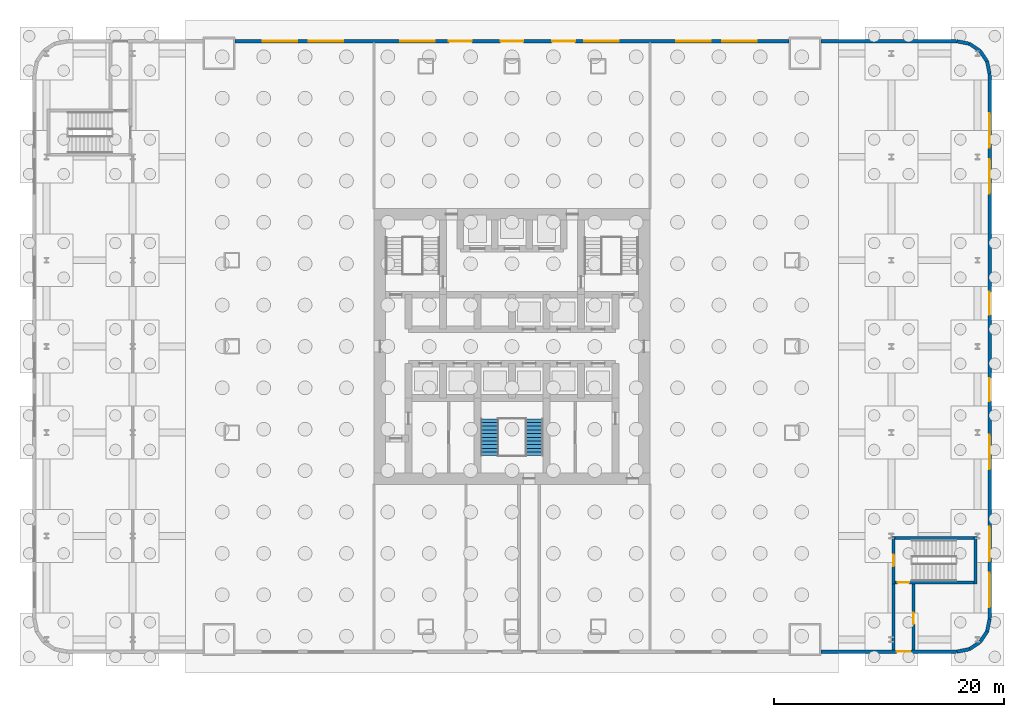
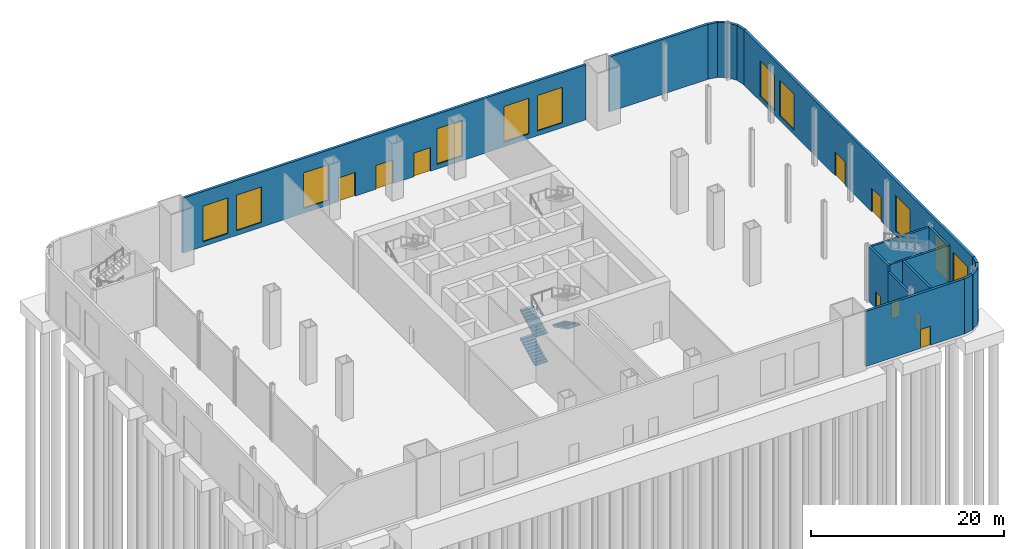
# One storey, part 6 of 10: 18 walls, 11 windows, 9 doors, 3 stair flights, 20 openings, 1 element without a shape of its own.
"""IFC4 building model written with IfcOpenShell, lengths in metres."""

from ifc_helpers import new_model, si_unit, direction, frame, frame_2d, origin, place, context, subcontext, project, spatial, polyline, rectangle, outline, extrude, material, layer, layer_set, type_object, element, fill, aggregate, save


model = new_model("IFC4")

# Units and contexts
model_context = context("Model", 3, precision=1e-05, world=origin(), true_north=direction((0.0, 1.0)))
body_context = subcontext(model_context, "Body", "Model", "MODEL_VIEW")
ifc_project = project(units=[si_unit("LENGTHUNIT", "METRE"), si_unit("AREAUNIT", "SQUARE_METRE"), si_unit("VOLUMEUNIT", "CUBIC_METRE"), si_unit("PLANEANGLEUNIT", "RADIAN"), si_unit("MASSUNIT", "GRAM", prefix="KILO")], contexts=[model_context])

# Site, building, storey
site_placement = place(None, origin())
site = spatial("IfcSite", under=ifc_project, at=site_placement, CompositionType="ELEMENT")
building_placement = place(site_placement, origin())
building = spatial("IfcBuilding", under=site, at=building_placement, Name="Tarangal Relay Tower", CompositionType="ELEMENT")
storey_placement = place(building_placement, origin())
storey = spatial("IfcBuildingStorey", under=building, at=storey_placement, Name="L00", CompositionType="ELEMENT", Elevation=0.0)

# Walls
ifc_material_1 = material(Name="Black granite clad concrete wall", Category="masonry")
ifc_layer_1 = layer(ifc_material_1, 0.300048828125)
ifc_layer_set_1 = layer_set([ifc_layer_1], Name="Podium wall 300")
wall_type_1 = type_object("IfcWallType", Name="Podium wall 300", PredefinedType="SOLIDWALL", material=ifc_layer_set_1)
for number, where, z_axis, x_axis, name in (
    (1, (41.550048828125, 23.699951171875, 0.0), (0.0, 0.0, 1.0), (-0.195187147506, 0.980766015647, 0.0), "Podium corner wall L00"),
    (2, (41.3330078125, 24.79052734375, 0.0), (0.0, 0.0, 1.0), (-0.555409243355, 0.831577159616, 0.0), "Podium corner wall L00"),
    (3, (40.71533203125, 25.71533203125, 0.0), (0.0, 0.0, 1.0), (-0.831577159616, 0.555409243355, 0.0), "Podium corner wall L00"),
    (4, (39.79052734375, 26.3330078125, 0.0), (0.0, 0.0, 1.0), (-0.980766015647, 0.195187147506, 0.0), "Podium corner wall L00"),
):
    element("IfcWall", number, at=place(storey_placement, frame(where, z_axis=z_axis, x_axis=x_axis)), inside=storey, type_object=wall_type_1, Name=name, PredefinedType="SOLIDWALL", context=body_context, shape_type="SweptSolid", body=[
        extrude(rectangle(XDim=1.112060546875, YDim=0.300048828125, at=frame_2d((0.55615234375, 0.0))), origin(), (0.0, 0.0, 1.0), 6.949951171875),
    ])
wall_1_placement = place(storey_placement, frame((38.699951171875, 26.550048828125, 0.0), z_axis=(0.0, 0.0, 1.0), x_axis=(-1.0, 0.0, 0.0)))
element("IfcWall", 5, at=wall_1_placement, inside=storey, type_object=wall_type_1, Name="Podium wall Podium N facade L00", PredefinedType="SOLIDWALL", context=body_context, shape_type="SweptSolid", body=[
    extrude(rectangle(XDim=11.800048828125, YDim=0.300048828125, at=frame_2d((5.89990234375, 0.0))), origin(), (0.0, 0.0, 1.0), 6.949951171875),
])

# Wall, openings, doors, windows
wall_2_placement = place(storey_placement, frame((24.10009765625, 26.550048828125, 0.0), z_axis=(0.0, 0.0, 1.0), x_axis=(-1.0, 0.0, 0.0)))
wall_2 = element("IfcWall", 6, at=wall_2_placement, inside=storey, type_object=wall_type_1, Name="Podium wall Podium N facade L00", PredefinedType="SOLIDWALL", context=body_context, shape_type="SweptSolid", body=[
    extrude(rectangle(XDim=48.2001953125, YDim=0.300048828125, at=frame_2d((24.10009765625, 0.0))), origin(), (0.0, 0.0, 1.0), 6.949951171875),
])
opening_1_placement = place(wall_2_placement, frame((27.60009765625, 0.0, 0.0)))
opening_1 = element("IfcOpeningElement", 7, at=opening_1_placement, cuts=wall_2, Name="Opening ED1", PredefinedType="OPENING", context=body_context, shape_type="SweptSolid", body=[
    extrude(rectangle(XDim=2.0, YDim=3.0, at=frame_2d((1.0, 1.5))), frame((0.0, 0.159912109375, 0.0), z_axis=(0.0, -1.0, 0.0), x_axis=(1.0, 0.0, 0.0)), (0.0, 0.0, 1.0), 0.320068359375),
])
opening_2_placement = place(wall_2_placement, frame((23.10009765625, 0.0, 0.0)))
opening_2 = element("IfcOpeningElement", 8, at=opening_2_placement, cuts=wall_2, Name="Opening ED1", PredefinedType="OPENING", context=body_context, shape_type="SweptSolid", body=[
    extrude(rectangle(XDim=2.0, YDim=3.0, at=frame_2d((1.0, 1.5))), frame((0.0, 0.159912109375, 0.0), z_axis=(0.0, -1.0, 0.0), x_axis=(1.0, 0.0, 0.0)), (0.0, 0.0, 1.0), 0.320068359375),
])
opening_3_placement = place(wall_2_placement, frame((18.60009765625, 0.0, 0.0)))
opening_3 = element("IfcOpeningElement", 9, at=opening_3_placement, cuts=wall_2, Name="Opening ED1", PredefinedType="OPENING", context=body_context, shape_type="SweptSolid", body=[
    extrude(rectangle(XDim=2.0, YDim=3.0, at=frame_2d((1.0, 1.5))), frame((0.0, 0.159912109375, 0.0), z_axis=(0.0, -1.0, 0.0), x_axis=(1.0, 0.0, 0.0)), (0.0, 0.0, 1.0), 0.320068359375),
])
opening_4_placement = place(wall_2_placement, frame((42.800048828125, 0.0, 0.60009765625)))
opening_4 = element("IfcOpeningElement", 10, at=opening_4_placement, cuts=wall_2, Name="Opening WN3", PredefinedType="OPENING", context=body_context, shape_type="SweptSolid", body=[
    extrude(rectangle(XDim=3.0, YDim=4.5, at=frame_2d((1.5, 2.25))), frame((0.0, 0.159912109375, 0.0), z_axis=(0.0, -1.0, 0.0), x_axis=(1.0, 0.0, 0.0)), (0.0, 0.0, 1.0), 0.320068359375),
])
opening_5_placement = place(wall_2_placement, frame((38.800048828125, 0.0, 0.60009765625)))
opening_5 = element("IfcOpeningElement", 11, at=opening_5_placement, cuts=wall_2, Name="Opening WN3", PredefinedType="OPENING", context=body_context, shape_type="SweptSolid", body=[
    extrude(rectangle(XDim=3.0, YDim=4.5, at=frame_2d((1.5, 2.25))), frame((0.0, 0.159912109375, 0.0), z_axis=(0.0, -1.0, 0.0), x_axis=(1.0, 0.0, 0.0)), (0.0, 0.0, 1.0), 0.320068359375),
])
opening_6_placement = place(wall_2_placement, frame((30.800048828125, 0.0, 0.60009765625)))
opening_6 = element("IfcOpeningElement", 12, at=opening_6_placement, cuts=wall_2, Name="Opening WN3", PredefinedType="OPENING", context=body_context, shape_type="SweptSolid", body=[
    extrude(rectangle(XDim=3.0, YDim=4.5, at=frame_2d((1.5, 2.25))), frame((0.0, 0.159912109375, 0.0), z_axis=(0.0, -1.0, 0.0), x_axis=(1.0, 0.0, 0.0)), (0.0, 0.0, 1.0), 0.320068359375),
])
opening_7_placement = place(wall_2_placement, frame((14.800048828125, 0.0, 0.60009765625)))
opening_7 = element("IfcOpeningElement", 13, at=opening_7_placement, cuts=wall_2, Name="Opening WN3", PredefinedType="OPENING", context=body_context, shape_type="SweptSolid", body=[
    extrude(rectangle(XDim=3.0, YDim=4.5, at=frame_2d((1.5, 2.25))), frame((0.0, 0.159912109375, 0.0), z_axis=(0.0, -1.0, 0.0), x_axis=(1.0, 0.0, 0.0)), (0.0, 0.0, 1.0), 0.320068359375),
])
opening_8_placement = place(wall_2_placement, frame((6.800048828125, 0.0, 0.60009765625)))
opening_8 = element("IfcOpeningElement", 14, at=opening_8_placement, cuts=wall_2, Name="Opening WN3", PredefinedType="OPENING", context=body_context, shape_type="SweptSolid", body=[
    extrude(rectangle(XDim=3.0, YDim=4.5, at=frame_2d((1.5, 2.25))), frame((0.0, 0.159912109375, 0.0), z_axis=(0.0, -1.0, 0.0), x_axis=(1.0, 0.0, 0.0)), (0.0, 0.0, 1.0), 0.320068359375),
])
opening_9_placement = place(wall_2_placement, frame((2.800048828125, 0.0, 0.60009765625)))
opening_9 = element("IfcOpeningElement", 15, at=opening_9_placement, cuts=wall_2, Name="Opening WN3", PredefinedType="OPENING", context=body_context, shape_type="SweptSolid", body=[
    extrude(rectangle(XDim=3.0, YDim=4.5, at=frame_2d((1.5, 2.25))), frame((0.0, 0.159912109375, 0.0), z_axis=(0.0, -1.0, 0.0), x_axis=(1.0, 0.0, 0.0)), (0.0, 0.0, 1.0), 0.320068359375),
])
ifc_material_2 = material(Name="Aluminium glazed door", Category="aluminium")
door_type_1 = type_object("IfcDoorType", Name="Entrance door 2000 x 3000", OperationType="DOUBLE_DOOR_SINGLE_SWING", PredefinedType="DOOR", material=ifc_material_2)
door_1_placement = place(opening_1_placement, origin())
door_1 = element("IfcDoor", 16, at=door_1_placement, inside=storey, type_object=door_type_1, Name="Entrance door ED1 podium N face", OperationType="DOUBLE_DOOR_SINGLE_SWING", OverallHeight=3.0, OverallWidth=2.0, PredefinedType="DOOR", context=body_context, shape_type="SweptSolid", body=[
    extrude(rectangle(XDim=2.0, YDim=3.0, at=frame_2d((1.0, 1.5))), frame((0.0, 0.02490234375, 0.0), z_axis=(0.0, -1.0, 0.0), x_axis=(1.0, 0.0, 0.0)), (0.0, 0.0, 1.0), 0.050048828125),
])
fill(opening_1, door_1)
door_2_placement = place(opening_2_placement, origin())
door_2 = element("IfcDoor", 17, at=door_2_placement, inside=storey, type_object=door_type_1, Name="Entrance door ED1 podium N face", OperationType="DOUBLE_DOOR_SINGLE_SWING", OverallHeight=3.0, OverallWidth=2.0, PredefinedType="DOOR", context=body_context, shape_type="SweptSolid", body=[
    extrude(rectangle(XDim=2.0, YDim=3.0, at=frame_2d((1.0, 1.5))), frame((0.0, 0.02490234375, 0.0), z_axis=(0.0, -1.0, 0.0), x_axis=(1.0, 0.0, 0.0)), (0.0, 0.0, 1.0), 0.050048828125),
])
fill(opening_2, door_2)
door_3_placement = place(opening_3_placement, origin())
door_3 = element("IfcDoor", 18, at=door_3_placement, inside=storey, type_object=door_type_1, Name="Entrance door ED1 podium N face", OperationType="DOUBLE_DOOR_SINGLE_SWING", OverallHeight=3.0, OverallWidth=2.0, PredefinedType="DOOR", context=body_context, shape_type="SweptSolid", body=[
    extrude(rectangle(XDim=2.0, YDim=3.0, at=frame_2d((1.0, 1.5))), frame((0.0, 0.02490234375, 0.0), z_axis=(0.0, -1.0, 0.0), x_axis=(1.0, 0.0, 0.0)), (0.0, 0.0, 1.0), 0.050048828125),
])
fill(opening_3, door_3)
ifc_material_3 = material(Name="Dark tinted double glazing in black aluminium frame", Category="aluminium")
window_type = type_object("IfcWindowType", Name="Shopfront window 3000 x 4500", PartitioningType="SINGLE_PANEL", PredefinedType="WINDOW", material=ifc_material_3)
window_1_placement = place(opening_4_placement, origin())
window_1 = element("IfcWindow", 19, at=window_1_placement, inside=storey, type_object=window_type, Name="Shopfront window WN3 Podium N facade L00", OverallHeight=4.5, OverallWidth=3.0, PartitioningType="SINGLE_PANEL", PredefinedType="WINDOW", context=body_context, shape_type="SweptSolid", body=[
    extrude(rectangle(XDim=3.0, YDim=4.5, at=frame_2d((1.5, 2.25))), frame((0.0, 0.030029296875, 0.0), z_axis=(0.0, -1.0, 0.0), x_axis=(1.0, 0.0, 0.0)), (0.0, 0.0, 1.0), 0.06005859375),
])
fill(opening_4, window_1)
window_2_placement = place(opening_5_placement, origin())
window_2 = element("IfcWindow", 20, at=window_2_placement, inside=storey, type_object=window_type, Name="Shopfront window WN3 Podium N facade L00", OverallHeight=4.5, OverallWidth=3.0, PartitioningType="SINGLE_PANEL", PredefinedType="WINDOW", context=body_context, shape_type="SweptSolid", body=[
    extrude(rectangle(XDim=3.0, YDim=4.5, at=frame_2d((1.5, 2.25))), frame((0.0, 0.030029296875, 0.0), z_axis=(0.0, -1.0, 0.0), x_axis=(1.0, 0.0, 0.0)), (0.0, 0.0, 1.0), 0.06005859375),
])
fill(opening_5, window_2)
window_3_placement = place(opening_6_placement, origin())
window_3 = element("IfcWindow", 21, at=window_3_placement, inside=storey, type_object=window_type, Name="Shopfront window WN3 Podium N facade L00", OverallHeight=4.5, OverallWidth=3.0, PartitioningType="SINGLE_PANEL", PredefinedType="WINDOW", context=body_context, shape_type="SweptSolid", body=[
    extrude(rectangle(XDim=3.0, YDim=4.5, at=frame_2d((1.5, 2.25))), frame((0.0, 0.030029296875, 0.0), z_axis=(0.0, -1.0, 0.0), x_axis=(1.0, 0.0, 0.0)), (0.0, 0.0, 1.0), 0.06005859375),
])
fill(opening_6, window_3)
window_4_placement = place(opening_7_placement, origin())
window_4 = element("IfcWindow", 22, at=window_4_placement, inside=storey, type_object=window_type, Name="Shopfront window WN3 Podium N facade L00", OverallHeight=4.5, OverallWidth=3.0, PartitioningType="SINGLE_PANEL", PredefinedType="WINDOW", context=body_context, shape_type="SweptSolid", body=[
    extrude(rectangle(XDim=3.0, YDim=4.5, at=frame_2d((1.5, 2.25))), frame((0.0, 0.030029296875, 0.0), z_axis=(0.0, -1.0, 0.0), x_axis=(1.0, 0.0, 0.0)), (0.0, 0.0, 1.0), 0.06005859375),
])
fill(opening_7, window_4)
window_5_placement = place(opening_8_placement, origin())
window_5 = element("IfcWindow", 23, at=window_5_placement, inside=storey, type_object=window_type, Name="Shopfront window WN3 Podium N facade L00", OverallHeight=4.5, OverallWidth=3.0, PartitioningType="SINGLE_PANEL", PredefinedType="WINDOW", context=body_context, shape_type="SweptSolid", body=[
    extrude(rectangle(XDim=3.0, YDim=4.5, at=frame_2d((1.5, 2.25))), frame((0.0, 0.030029296875, 0.0), z_axis=(0.0, -1.0, 0.0), x_axis=(1.0, 0.0, 0.0)), (0.0, 0.0, 1.0), 0.06005859375),
])
fill(opening_8, window_5)
window_6_placement = place(opening_9_placement, origin())
window_6 = element("IfcWindow", 24, at=window_6_placement, inside=storey, type_object=window_type, Name="Shopfront window WN3 Podium N facade L00", OverallHeight=4.5, OverallWidth=3.0, PartitioningType="SINGLE_PANEL", PredefinedType="WINDOW", context=body_context, shape_type="SweptSolid", body=[
    extrude(rectangle(XDim=3.0, YDim=4.5, at=frame_2d((1.5, 2.25))), frame((0.0, 0.030029296875, 0.0), z_axis=(0.0, -1.0, 0.0), x_axis=(1.0, 0.0, 0.0)), (0.0, 0.0, 1.0), 0.06005859375),
])
fill(opening_9, window_6)

# Wall, opening, door
wall_3_placement = place(storey_placement, frame((26.89990234375, -26.550048828125, 0.0), z_axis=(0.0, 0.0, 1.0), x_axis=(1.0, 0.0, 0.0)))
wall_3 = element("IfcWall", 25, at=wall_3_placement, inside=storey, type_object=wall_type_1, Name="Podium wall Podium S facade L00", PredefinedType="SOLIDWALL", context=body_context, shape_type="SweptSolid", body=[
    extrude(rectangle(XDim=11.800048828125, YDim=0.300048828125, at=frame_2d((5.89990234375, 0.0))), origin(), (0.0, 0.0, 1.0), 6.949951171875),
])
opening_10_placement = place(wall_3_placement, frame((6.550048828125, 0.0, 0.0)))
opening_10 = element("IfcOpeningElement", 26, at=opening_10_placement, cuts=wall_3, Name="Opening ED2", PredefinedType="OPENING", context=body_context, shape_type="SweptSolid", body=[
    extrude(rectangle(XDim=1.199951171875, YDim=2.39990234375, at=frame_2d((0.60009765625, 1.199951171875))), frame((0.0, 0.159912109375, 0.0), z_axis=(0.0, -1.0, 0.0), x_axis=(1.0, 0.0, 0.0)), (0.0, 0.0, 1.0), 0.320068359375),
])
ifc_material_4 = material(Name="Steel door with hardwood frame", Category="steel")
door_type_2 = type_object("IfcDoorType", Name="Exit door 1200 x 2400", OperationType="SINGLE_SWING_RIGHT", PredefinedType="DOOR", material=ifc_material_4)
door_4_placement = place(opening_10_placement, frame((1.199951171875, 0.0, 0.0), z_axis=(0.0, 0.0, 1.0), x_axis=(-1.0, 0.0, 0.0)))
door_4 = element("IfcDoor", 27, at=door_4_placement, inside=storey, type_object=door_type_2, Name="Exit door ED2 podium S face", OperationType="SINGLE_SWING_RIGHT", OverallHeight=2.39990234375, OverallWidth=1.199951171875, PredefinedType="DOOR", context=body_context, shape_type="SweptSolid", body=[
    extrude(rectangle(XDim=1.199951171875, YDim=2.39990234375, at=frame_2d((0.60009765625, 1.199951171875))), frame((0.0, 0.02490234375, 0.0), z_axis=(0.0, -1.0, 0.0), x_axis=(1.0, 0.0, 0.0)), (0.0, 0.0, 1.0), 0.050048828125),
])
fill(opening_10, door_4)

# Walls
for number, where, z_axis, x_axis, name in (
    (28, (38.699951171875, -26.550048828125, 0.0), (0.0, 0.0, 1.0), (0.980766015647, 0.195187147506, 0.0), "Podium corner wall L00"),
    (29, (39.79052734375, -26.3330078125, 0.0), (0.0, 0.0, 1.0), (0.831577159616, 0.555409243355, 0.0), "Podium corner wall L00"),
    (30, (40.71533203125, -25.71533203125, 0.0), (0.0, 0.0, 1.0), (0.555409243355, 0.831577159616, 0.0), "Podium corner wall L00"),
    (31, (41.3330078125, -24.79052734375, 0.0), (0.0, 0.0, 1.0), (0.195187147506, 0.980766015647, 0.0), "Podium corner wall L00"),
):
    element("IfcWall", number, at=place(storey_placement, frame(where, z_axis=z_axis, x_axis=x_axis)), inside=storey, type_object=wall_type_1, Name=name, PredefinedType="SOLIDWALL", context=body_context, shape_type="SweptSolid", body=[
        extrude(rectangle(XDim=1.112060546875, YDim=0.300048828125, at=frame_2d((0.55615234375, 0.0))), origin(), (0.0, 0.0, 1.0), 6.949951171875),
    ])

# Wall, openings, doors, windows
wall_4_placement = place(storey_placement, frame((41.550048828125, -23.699951171875, 0.0), z_axis=(0.0, 0.0, 1.0), x_axis=(0.0, 1.0, 0.0)))
wall_4 = element("IfcWall", 32, at=wall_4_placement, inside=storey, type_object=wall_type_1, Name="Podium wall Podium E facade L00", PredefinedType="SOLIDWALL", context=body_context, shape_type="SweptSolid", body=[
    extrude(rectangle(XDim=47.39990234375, YDim=0.300048828125, at=frame_2d((23.699951171875, 0.0))), origin(), (0.0, 0.0, 1.0), 6.949951171875),
])
opening_11_placement = place(wall_4_placement, frame((18.949951171875, 0.0, 0.0)))
opening_11 = element("IfcOpeningElement", 33, at=opening_11_placement, cuts=wall_4, Name="Opening ED1", PredefinedType="OPENING", context=body_context, shape_type="SweptSolid", body=[
    extrude(rectangle(XDim=2.0, YDim=3.0, at=frame_2d((1.0, 1.5))), frame((0.0, 0.159912109375, 0.0), z_axis=(0.0, -1.0, 0.0), x_axis=(1.0, 0.0, 0.0)), (0.0, 0.0, 1.0), 0.320068359375),
])
opening_12_placement = place(wall_4_placement, frame((26.449951171875, 0.0, 0.0)))
opening_12 = element("IfcOpeningElement", 34, at=opening_12_placement, cuts=wall_4, Name="Opening ED1", PredefinedType="OPENING", context=body_context, shape_type="SweptSolid", body=[
    extrude(rectangle(XDim=2.0, YDim=3.0, at=frame_2d((1.0, 1.5))), frame((0.0, 0.159912109375, 0.0), z_axis=(0.0, -1.0, 0.0), x_axis=(1.0, 0.0, 0.0)), (0.0, 0.0, 1.0), 0.320068359375),
])
opening_13_placement = place(wall_4_placement, frame((1.0, 0.0, 0.60009765625)))
opening_13 = element("IfcOpeningElement", 35, at=opening_13_placement, cuts=wall_4, Name="Opening WN3", PredefinedType="OPENING", context=body_context, shape_type="SweptSolid", body=[
    extrude(rectangle(XDim=3.0, YDim=4.5, at=frame_2d((1.5, 2.25))), frame((0.0, 0.159912109375, 0.0), z_axis=(0.0, -1.0, 0.0), x_axis=(1.0, 0.0, 0.0)), (0.0, 0.0, 1.0), 0.320068359375),
])
opening_14_placement = place(wall_4_placement, frame((5.0, 0.0, 0.60009765625)))
opening_14 = element("IfcOpeningElement", 36, at=opening_14_placement, cuts=wall_4, Name="Opening WN3", PredefinedType="OPENING", context=body_context, shape_type="SweptSolid", body=[
    extrude(rectangle(XDim=3.0, YDim=4.5, at=frame_2d((1.5, 2.25))), frame((0.0, 0.159912109375, 0.0), z_axis=(0.0, -1.0, 0.0), x_axis=(1.0, 0.0, 0.0)), (0.0, 0.0, 1.0), 0.320068359375),
])
opening_15_placement = place(wall_4_placement, frame((13.0, 0.0, 0.60009765625)))
opening_15 = element("IfcOpeningElement", 37, at=opening_15_placement, cuts=wall_4, Name="Opening WN3", PredefinedType="OPENING", context=body_context, shape_type="SweptSolid", body=[
    extrude(rectangle(XDim=3.0, YDim=4.5, at=frame_2d((1.5, 2.25))), frame((0.0, 0.159912109375, 0.0), z_axis=(0.0, -1.0, 0.0), x_axis=(1.0, 0.0, 0.0)), (0.0, 0.0, 1.0), 0.320068359375),
])
opening_16_placement = place(wall_4_placement, frame((37.0, 0.0, 0.60009765625)))
opening_16 = element("IfcOpeningElement", 38, at=opening_16_placement, cuts=wall_4, Name="Opening WN3", PredefinedType="OPENING", context=body_context, shape_type="SweptSolid", body=[
    extrude(rectangle(XDim=3.0, YDim=4.5, at=frame_2d((1.5, 2.25))), frame((0.0, 0.159912109375, 0.0), z_axis=(0.0, -1.0, 0.0), x_axis=(1.0, 0.0, 0.0)), (0.0, 0.0, 1.0), 0.320068359375),
])
opening_17_placement = place(wall_4_placement, frame((41.0, 0.0, 0.60009765625)))
opening_17 = element("IfcOpeningElement", 39, at=opening_17_placement, cuts=wall_4, Name="Opening WN3", PredefinedType="OPENING", context=body_context, shape_type="SweptSolid", body=[
    extrude(rectangle(XDim=3.0, YDim=4.5, at=frame_2d((1.5, 2.25))), frame((0.0, 0.159912109375, 0.0), z_axis=(0.0, -1.0, 0.0), x_axis=(1.0, 0.0, 0.0)), (0.0, 0.0, 1.0), 0.320068359375),
])
door_5_placement = place(opening_11_placement, origin())
door_5 = element("IfcDoor", 40, at=door_5_placement, inside=storey, type_object=door_type_1, Name="Entrance door ED1 podium E face", OperationType="DOUBLE_DOOR_SINGLE_SWING", OverallHeight=3.0, OverallWidth=2.0, PredefinedType="DOOR", context=body_context, shape_type="SweptSolid", body=[
    extrude(rectangle(XDim=2.0, YDim=3.0, at=frame_2d((1.0, 1.5))), frame((0.0, 0.02490234375, 0.0), z_axis=(0.0, -1.0, 0.0), x_axis=(1.0, 0.0, 0.0)), (0.0, 0.0, 1.0), 0.050048828125),
])
fill(opening_11, door_5)
door_6_placement = place(opening_12_placement, origin())
door_6 = element("IfcDoor", 41, at=door_6_placement, inside=storey, type_object=door_type_1, Name="Entrance door ED1 podium E face", OperationType="DOUBLE_DOOR_SINGLE_SWING", OverallHeight=3.0, OverallWidth=2.0, PredefinedType="DOOR", context=body_context, shape_type="SweptSolid", body=[
    extrude(rectangle(XDim=2.0, YDim=3.0, at=frame_2d((1.0, 1.5))), frame((0.0, 0.02490234375, 0.0), z_axis=(0.0, -1.0, 0.0), x_axis=(1.0, 0.0, 0.0)), (0.0, 0.0, 1.0), 0.050048828125),
])
fill(opening_12, door_6)
window_7_placement = place(opening_13_placement, origin())
window_7 = element("IfcWindow", 42, at=window_7_placement, inside=storey, type_object=window_type, Name="Shopfront window WN3 Podium E facade L00", OverallHeight=4.5, OverallWidth=3.0, PartitioningType="SINGLE_PANEL", PredefinedType="WINDOW", context=body_context, shape_type="SweptSolid", body=[
    extrude(rectangle(XDim=3.0, YDim=4.5, at=frame_2d((1.5, 2.25))), frame((0.0, 0.030029296875, 0.0), z_axis=(0.0, -1.0, 0.0), x_axis=(1.0, 0.0, 0.0)), (0.0, 0.0, 1.0), 0.06005859375),
])
fill(opening_13, window_7)
window_8_placement = place(opening_14_placement, origin())
window_8 = element("IfcWindow", 43, at=window_8_placement, inside=storey, type_object=window_type, Name="Shopfront window WN3 Podium E facade L00", OverallHeight=4.5, OverallWidth=3.0, PartitioningType="SINGLE_PANEL", PredefinedType="WINDOW", context=body_context, shape_type="SweptSolid", body=[
    extrude(rectangle(XDim=3.0, YDim=4.5, at=frame_2d((1.5, 2.25))), frame((0.0, 0.030029296875, 0.0), z_axis=(0.0, -1.0, 0.0), x_axis=(1.0, 0.0, 0.0)), (0.0, 0.0, 1.0), 0.06005859375),
])
fill(opening_14, window_8)
window_9_placement = place(opening_15_placement, origin())
window_9 = element("IfcWindow", 44, at=window_9_placement, inside=storey, type_object=window_type, Name="Shopfront window WN3 Podium E facade L00", OverallHeight=4.5, OverallWidth=3.0, PartitioningType="SINGLE_PANEL", PredefinedType="WINDOW", context=body_context, shape_type="SweptSolid", body=[
    extrude(rectangle(XDim=3.0, YDim=4.5, at=frame_2d((1.5, 2.25))), frame((0.0, 0.030029296875, 0.0), z_axis=(0.0, -1.0, 0.0), x_axis=(1.0, 0.0, 0.0)), (0.0, 0.0, 1.0), 0.06005859375),
])
fill(opening_15, window_9)
window_10_placement = place(opening_16_placement, origin())
window_10 = element("IfcWindow", 45, at=window_10_placement, inside=storey, type_object=window_type, Name="Shopfront window WN3 Podium E facade L00", OverallHeight=4.5, OverallWidth=3.0, PartitioningType="SINGLE_PANEL", PredefinedType="WINDOW", context=body_context, shape_type="SweptSolid", body=[
    extrude(rectangle(XDim=3.0, YDim=4.5, at=frame_2d((1.5, 2.25))), frame((0.0, 0.030029296875, 0.0), z_axis=(0.0, -1.0, 0.0), x_axis=(1.0, 0.0, 0.0)), (0.0, 0.0, 1.0), 0.06005859375),
])
fill(opening_16, window_10)
window_11_placement = place(opening_17_placement, origin())
window_11 = element("IfcWindow", 46, at=window_11_placement, inside=storey, type_object=window_type, Name="Shopfront window WN3 Podium E facade L00", OverallHeight=4.5, OverallWidth=3.0, PartitioningType="SINGLE_PANEL", PredefinedType="WINDOW", context=body_context, shape_type="SweptSolid", body=[
    extrude(rectangle(XDim=3.0, YDim=4.5, at=frame_2d((1.5, 2.25))), frame((0.0, 0.030029296875, 0.0), z_axis=(0.0, -1.0, 0.0), x_axis=(1.0, 0.0, 0.0)), (0.0, 0.0, 1.0), 0.06005859375),
])
fill(opening_17, window_11)

# Wall, opening, door
ifc_material_5 = material(Name="Concrete blockwork", Category="masonry")
ifc_layer_2 = layer(ifc_material_5, 0.25)
ifc_layer_set_2 = layer_set([ifc_layer_2], Name="Stair enclosure wall 250")
wall_type_2 = type_object("IfcWallType", Name="Stair enclosure wall 250", PredefinedType="SOLIDWALL", material=ifc_layer_set_2)
wall_5_placement = place(storey_placement, frame((33.175048828125, -20.64990234375, 0.0), z_axis=(0.0, 0.0, 1.0), x_axis=(0.0, 1.0, 0.0)))
wall_5 = element("IfcWall", 47, at=wall_5_placement, inside=storey, type_object=wall_type_2, Name="Stair ST-E enclosure wall L00", PredefinedType="SOLIDWALL", context=body_context, shape_type="SweptSolid", body=[
    extrude(rectangle(XDim=4.099853515625, YDim=0.25, at=frame_2d((2.0498046875, 0.0))), origin(), (0.0, 0.0, 1.0), 6.949951171875),
])
opening_18_placement = place(wall_5_placement, frame((1.550048828125, 0.0, 0.0)))
opening_18 = element("IfcOpeningElement", 48, at=opening_18_placement, cuts=wall_5, Name="Opening FD1", PredefinedType="OPENING", context=body_context, shape_type="SweptSolid", body=[
    extrude(rectangle(XDim=1.0, YDim=2.10009765625, at=frame_2d((0.5, 1.050048828125))), frame((0.0, 0.135009765625, 0.0), z_axis=(0.0, -1.0, 0.0), x_axis=(1.0, 0.0, 0.0)), (0.0, 0.0, 1.0), 0.27001953125),
])
door_type_3 = type_object("IfcDoorType", Name="Fire door 1000 x 2100", OperationType="SINGLE_SWING_LEFT", PredefinedType="DOOR", material=ifc_material_4)
door_7_placement = place(opening_18_placement, origin())
door_7 = element("IfcDoor", 49, at=door_7_placement, inside=storey, type_object=door_type_3, Name="Stair ST-E door L00", OperationType="SINGLE_SWING_LEFT", OverallHeight=2.10009765625, OverallWidth=1.0, PredefinedType="DOOR", context=body_context, shape_type="SweptSolid", body=[
    extrude(rectangle(XDim=1.0, YDim=2.10009765625, at=frame_2d((0.5, 1.050048828125))), frame((0.0, 0.02490234375, 0.0), z_axis=(0.0, -1.0, 0.0), x_axis=(1.0, 0.0, 0.0)), (0.0, 0.0, 1.0), 0.050048828125),
])
fill(opening_18, door_7)

# Wall
wall_6_placement = place(storey_placement, frame((40.324951171875, -20.64990234375, 0.0), z_axis=(0.0, 0.0, 1.0), x_axis=(0.0, 1.0, 0.0)))
element("IfcWall", 50, at=wall_6_placement, inside=storey, type_object=wall_type_2, Name="Stair ST-E enclosure wall L00", PredefinedType="SOLIDWALL", context=body_context, shape_type="SweptSolid", body=[
    extrude(rectangle(XDim=4.099853515625, YDim=0.25, at=frame_2d((2.0498046875, 0.0))), origin(), (0.0, 0.0, 1.0), 6.949951171875),
])

# Wall, opening, door
wall_7_placement = place(storey_placement, frame((33.300048828125, -20.52490234375, 0.0), z_axis=(0.0, 0.0, 1.0), x_axis=(1.0, 0.0, 0.0)))
wall_7 = element("IfcWall", 51, at=wall_7_placement, inside=storey, type_object=wall_type_2, Name="Stair ST-E enclosure wall L00", PredefinedType="SOLIDWALL", context=body_context, shape_type="SweptSolid", body=[
    extrude(rectangle(XDim=6.89990234375, YDim=0.25, at=frame_2d((3.449951171875, 0.0))), origin(), (0.0, 0.0, 1.0), 6.949951171875),
])
opening_19_placement = place(wall_7_placement, frame((0.25, 0.0, 0.0)))
opening_19 = element("IfcOpeningElement", 52, at=opening_19_placement, cuts=wall_7, Name="Opening FD1", PredefinedType="OPENING", context=body_context, shape_type="SweptSolid", body=[
    extrude(rectangle(XDim=1.0, YDim=2.10009765625, at=frame_2d((0.5, 1.050048828125))), frame((0.0, 0.135009765625, 0.0), z_axis=(0.0, -1.0, 0.0), x_axis=(1.0, 0.0, 0.0)), (0.0, 0.0, 1.0), 0.27001953125),
])
door_8_placement = place(opening_19_placement, origin())
door_8 = element("IfcDoor", 53, at=door_8_placement, inside=storey, type_object=door_type_3, Name="Stair ST-E exit door L00", OperationType="SINGLE_SWING_LEFT", OverallHeight=2.10009765625, OverallWidth=1.0, PredefinedType="DOOR", context=body_context, shape_type="SweptSolid", body=[
    extrude(rectangle(XDim=1.0, YDim=2.10009765625, at=frame_2d((0.5, 1.050048828125))), frame((0.0, 0.02490234375, 0.0), z_axis=(0.0, -1.0, 0.0), x_axis=(1.0, 0.0, 0.0)), (0.0, 0.0, 1.0), 0.050048828125),
])
fill(opening_19, door_8)

# Walls
wall_8_placement = place(storey_placement, frame((33.300048828125, -16.675048828125, 0.0), z_axis=(0.0, 0.0, 1.0), x_axis=(1.0, 0.0, 0.0)))
element("IfcWall", 54, at=wall_8_placement, inside=storey, type_object=wall_type_2, Name="Stair ST-E enclosure wall L00", PredefinedType="SOLIDWALL", context=body_context, shape_type="SweptSolid", body=[
    extrude(rectangle(XDim=6.89990234375, YDim=0.25, at=frame_2d((3.449951171875, 0.0))), origin(), (0.0, 0.0, 1.0), 6.949951171875),
])
wall_9_placement = place(storey_placement, frame((33.175048828125, -20.64990234375, 0.0), z_axis=(0.0, 0.0, 1.0), x_axis=(0.0, -1.0, 0.0)))
element("IfcWall", 55, at=wall_9_placement, inside=storey, type_object=wall_type_2, Name="Exit passage wall ST-E L00", PredefinedType="SOLIDWALL", context=body_context, shape_type="SweptSolid", body=[
    extrude(rectangle(XDim=5.75, YDim=0.25, at=frame_2d((2.875, 0.0))), origin(), (0.0, 0.0, 1.0), 6.1650390625),
])

# Wall, opening, door
wall_10_placement = place(storey_placement, frame((34.925048828125, -20.64990234375, 0.0), z_axis=(0.0, 0.0, 1.0), x_axis=(0.0, -1.0, 0.0)))
wall_10 = element("IfcWall", 56, at=wall_10_placement, inside=storey, type_object=wall_type_2, Name="Exit passage wall ST-E L00", PredefinedType="SOLIDWALL", context=body_context, shape_type="SweptSolid", body=[
    extrude(rectangle(XDim=5.75, YDim=0.25, at=frame_2d((2.875, 0.0))), origin(), (0.0, 0.0, 1.0), 6.949951171875),
])
opening_20_placement = place(wall_10_placement, frame((2.5, 0.0, 0.0)))
opening_20 = element("IfcOpeningElement", 57, at=opening_20_placement, cuts=wall_10, Name="Opening FD1", PredefinedType="OPENING", context=body_context, shape_type="SweptSolid", body=[
    extrude(rectangle(XDim=1.0, YDim=2.10009765625, at=frame_2d((0.5, 1.050048828125))), frame((0.0, 0.135009765625, 0.0), z_axis=(0.0, -1.0, 0.0), x_axis=(1.0, 0.0, 0.0)), (0.0, 0.0, 1.0), 0.27001953125),
])
door_9_placement = place(opening_20_placement, origin())
door_9 = element("IfcDoor", 58, at=door_9_placement, inside=storey, type_object=door_type_3, Name="Sprinkler valve room door FD1 L00", OperationType="SINGLE_SWING_LEFT", OverallHeight=2.10009765625, OverallWidth=1.0, PredefinedType="DOOR", context=body_context, shape_type="SweptSolid", body=[
    extrude(rectangle(XDim=1.0, YDim=2.10009765625, at=frame_2d((0.5, 1.050048828125))), frame((0.0, 0.02490234375, 0.0), z_axis=(0.0, -1.0, 0.0), x_axis=(1.0, 0.0, 0.0)), (0.0, 0.0, 1.0), 0.050048828125),
])
fill(opening_20, door_9)

# Stair, stair flights
ifc_material_6 = material(Name="Steel ASTM A992 stair flight", Category="steel")
stair_type = type_object("IfcStairType", Name="Core stair 1500", PredefinedType="HALF_TURN_STAIR", material=ifc_material_6)
stair_placement = place(storey_placement, origin())
stair = element("IfcStair", 59, at=stair_placement, inside=storey, type_object=stair_type, Name="Stair ST-C L00", PredefinedType="HALF_TURN_STAIR")
stair_flight_type = type_object("IfcStairFlightType", Name="Steel stair flight 1500, 11 risers 164 x 320", PredefinedType="STRAIGHT", material=ifc_material_6)
stair_flight_1_placement = place(storey_placement, frame((-1.949951171875, -9.5, 0.0), z_axis=(0.0, 0.0, 1.0), x_axis=(0.0, 1.0, 0.0)))
stair_flight_1 = element("IfcStairFlight", 60, at=stair_flight_1_placement, type_object=stair_flight_type, Name="ST-C flight 1", NumberOfRisers=11, NumberOfTreads=10, PredefinedType="STRAIGHT", RiserHeight=0.163636364, TreadLength=0.32, context=body_context, shape_type="SweptSolid", body=[
    extrude(outline(polyline([(0.0, 0.0), (0.0, 0.16357421875), (0.320068359375, 0.16357421875), (0.320068359375, 0.327392578125), (0.639892578125, 0.327392578125), (0.639892578125, 0.490966796875), (0.9599609375, 0.490966796875), (0.9599609375, 0.654541015625), (1.280029296875, 0.654541015625), (1.280029296875, 0.818115234375), (1.60009765625, 0.818115234375), (1.60009765625, 0.98193359375), (1.919921875, 0.98193359375), (1.919921875, 1.1455078125), (2.239990234375, 1.1455078125), (2.239990234375, 1.30908203125), (2.56005859375, 1.30908203125), (2.56005859375, 1.47265625), (2.8798828125, 1.47265625), (2.8798828125, 1.636474609375), (3.199951171875, 1.636474609375), (3.199951171875, 1.800048828125), (3.199951171875, 1.468017578125), (0.329345703125, 0.0), (0.0, 0.0)])), frame((0.0, 0.75, 0.0), z_axis=(0.0, -1.0, 0.0), x_axis=(1.0, 0.0, 0.0)), (0.0, 0.0, 1.0), 1.5),
])
stair_flight_2_placement = place(storey_placement, frame((1.949951171875, -6.300048828125, 1.800048828125), z_axis=(0.0, 0.0, 1.0), x_axis=(0.0, -1.0, 0.0)))
stair_flight_2 = element("IfcStairFlight", 61, at=stair_flight_2_placement, type_object=stair_flight_type, Name="ST-C flight 2", NumberOfRisers=11, NumberOfTreads=10, PredefinedType="STRAIGHT", RiserHeight=0.163636364, TreadLength=0.32, context=body_context, shape_type="SweptSolid", body=[
    extrude(outline(polyline([(0.0, 0.0), (0.0, 0.16357421875), (0.320068359375, 0.16357421875), (0.320068359375, 0.327392578125), (0.639892578125, 0.327392578125), (0.639892578125, 0.490966796875), (0.9599609375, 0.490966796875), (0.9599609375, 0.654541015625), (1.280029296875, 0.654541015625), (1.280029296875, 0.818115234375), (1.60009765625, 0.818115234375), (1.60009765625, 0.98193359375), (1.919921875, 0.98193359375), (1.919921875, 1.1455078125), (2.239990234375, 1.1455078125), (2.239990234375, 1.30908203125), (2.56005859375, 1.30908203125), (2.56005859375, 1.47265625), (2.8798828125, 1.47265625), (2.8798828125, 1.636474609375), (3.199951171875, 1.636474609375), (3.199951171875, 1.800048828125), (3.199951171875, 1.468017578125), (0.329345703125, 0.0), (0.0, 0.0)])), frame((0.0, 0.75, 0.0), z_axis=(0.0, -1.0, 0.0), x_axis=(1.0, 0.0, 0.0)), (0.0, 0.0, 1.0), 1.5),
])
stair_flight_3_placement = place(storey_placement, frame((-1.949951171875, -9.5, 3.60009765625), z_axis=(0.0, 0.0, 1.0), x_axis=(0.0, 1.0, 0.0)))
stair_flight_3 = element("IfcStairFlight", 62, at=stair_flight_3_placement, type_object=stair_flight_type, Name="ST-C flight 3", NumberOfRisers=11, NumberOfTreads=10, PredefinedType="STRAIGHT", RiserHeight=0.163636364, TreadLength=0.32, context=body_context, shape_type="SweptSolid", body=[
    extrude(outline(polyline([(0.0, 0.0), (0.0, 0.16357421875), (0.320068359375, 0.16357421875), (0.320068359375, 0.327392578125), (0.639892578125, 0.327392578125), (0.639892578125, 0.490966796875), (0.9599609375, 0.490966796875), (0.9599609375, 0.654541015625), (1.280029296875, 0.654541015625), (1.280029296875, 0.818115234375), (1.60009765625, 0.818115234375), (1.60009765625, 0.98193359375), (1.919921875, 0.98193359375), (1.919921875, 1.1455078125), (2.239990234375, 1.1455078125), (2.239990234375, 1.30908203125), (2.56005859375, 1.30908203125), (2.56005859375, 1.47265625), (2.8798828125, 1.47265625), (2.8798828125, 1.636474609375), (3.199951171875, 1.636474609375), (3.199951171875, 1.800048828125), (3.199951171875, 1.468017578125), (0.329345703125, 0.0), (0.0, 0.0)])), frame((0.0, 0.75, 0.0), z_axis=(0.0, -1.0, 0.0), x_axis=(1.0, 0.0, 0.0)), (0.0, 0.0, 1.0), 1.5),
])
aggregate(stair, [stair_flight_1, stair_flight_2, stair_flight_3])

save(model, "model.ifc")
